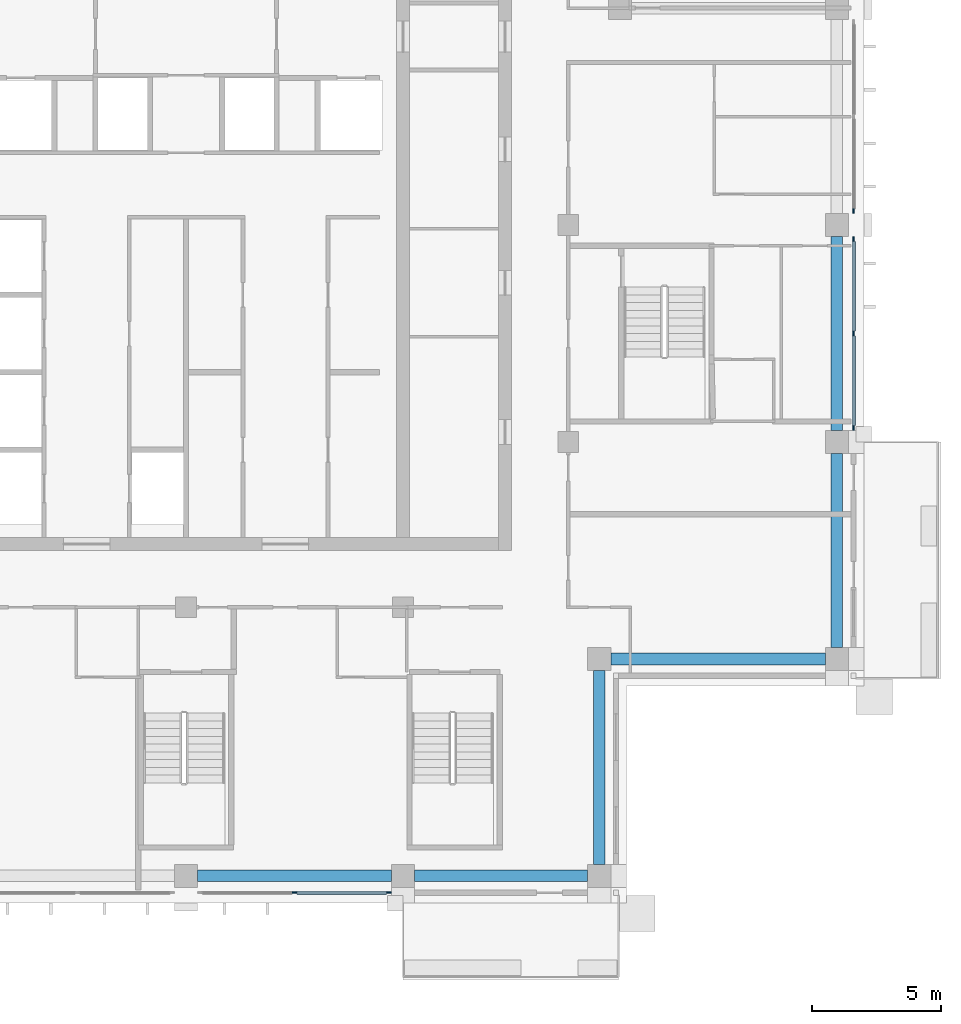
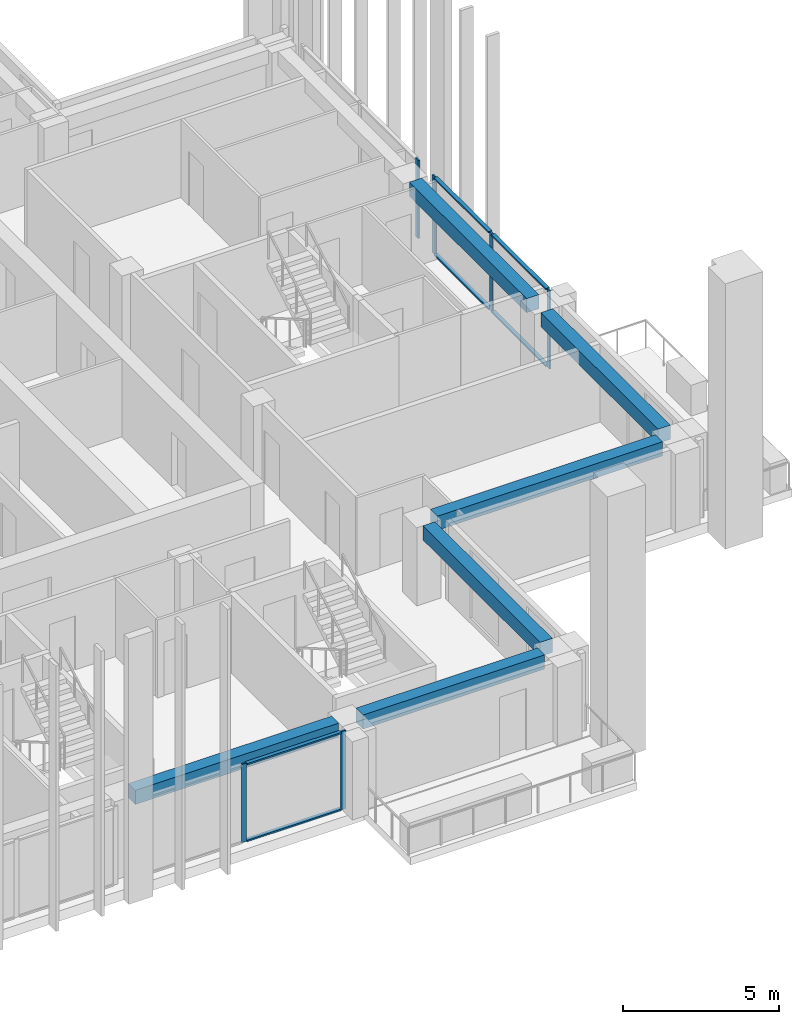
# One storey, part 4 of 20: 12 members, 6 beams, 3 elements without a shape of their own.
"""IFC4 building model written with IfcOpenShell, lengths in metres."""

from ifc_helpers import new_model, si_unit, direction, frame, origin, origin_2d, place, context, subcontext, project, spatial, rectangle, extrude, material, material_profile, profile_set, type_object, element, aggregate, save


model = new_model("IFC4")

# Units and contexts
model_context = context("Model", 3, precision=1e-05, world=origin(), true_north=direction((0.0, 1.0)))
body_context = subcontext(model_context, "Body", "Model", "MODEL_VIEW")
ifc_project = project(units=[si_unit("LENGTHUNIT", "METRE"), si_unit("AREAUNIT", "SQUARE_METRE"), si_unit("VOLUMEUNIT", "CUBIC_METRE"), si_unit("PLANEANGLEUNIT", "RADIAN"), si_unit("MASSUNIT", "GRAM", prefix="KILO")], contexts=[model_context])

# Site, building, storey
site_placement = place(None, origin())
site = spatial("IfcSite", under=ifc_project, at=site_placement, CompositionType="ELEMENT")
building_placement = place(site_placement, origin())
building = spatial("IfcBuilding", under=site, at=building_placement, Name="Vermilion Ogive Tower", CompositionType="ELEMENT")
storey_placement = place(building_placement, frame((0.0, 0.0, 223.449951171875)))
storey = spatial("IfcBuildingStorey", under=building, at=storey_placement, Name="L58", CompositionType="ELEMENT", Elevation=223.449951171875)

# Curtain wall, members
ifc_material_1 = material(Name="Low-iron laminated glazing in aluminium frame", Category="aluminium")
curtain_wall_type = type_object("IfcCurtainWallType", Name="Curtain wall CW7", PredefinedType="NOTDEFINED", material=ifc_material_1)
curtain_wall_1_placement = place(storey_placement, origin())
curtain_wall_1 = element("IfcCurtainWall", 1, at=curtain_wall_1_placement, inside=storey, type_object=curtain_wall_type, Name="Glazed skin S3", PredefinedType="NOTDEFINED")
ifc_material_2 = material(Name="Aluminium mullion", Category="aluminium")
ifc_material_profile_1 = material_profile(ifc_material_2, rectangle(XDim=0.06005859375, YDim=0.179931640625, at=origin_2d()), Name="AL 60x180")
ifc_profile_set_1 = profile_set([ifc_material_profile_1], Name="Aluminium mullion")
member_type_1 = type_object("IfcMemberType", Name="CW7 mullion 60x180", PredefinedType="MULLION", material=ifc_profile_set_1)
member_1_placement = place(storey_placement, frame((4.199951171875, -21.64990234375, 0.0), z_axis=(0.0, 0.0, 1.0), x_axis=(0.0, 1.0, 0.0)))
member_1 = element("IfcMember", 2, at=member_1_placement, type_object=member_type_1, Name="CW7-S3 mullion 2", PredefinedType="MULLION", context=body_context, shape_type="SweptSolid", body=[
    extrude(rectangle(XDim=0.06005859375, YDim=0.179931640625, at=origin_2d()), origin(), (0.0, 0.0, 1.0), 3.050048828125),
])
member_2_placement = place(storey_placement, frame((7.860107421875, -21.64990234375, 0.0), z_axis=(0.0, 0.0, 1.0), x_axis=(0.0, 1.0, 0.0)))
member_2 = element("IfcMember", 3, at=member_2_placement, type_object=member_type_1, Name="CW7-S3 mullion 3", PredefinedType="MULLION", context=body_context, shape_type="SweptSolid", body=[
    extrude(rectangle(XDim=0.06005859375, YDim=0.179931640625, at=origin_2d()), origin(), (0.0, 0.0, 1.0), 3.050048828125),
])

curtain_wall_2_placement = place(storey_placement, origin())
curtain_wall_2 = element("IfcCurtainWall", 4, at=curtain_wall_2_placement, inside=storey, type_object=curtain_wall_type, Name="Glazed skin E2", PredefinedType="NOTDEFINED")
member_3_placement = place(storey_placement, frame((25.85009765625, -3.659912109375, 0.0), z_axis=(0.0, 0.0, 1.0), x_axis=(-1.0, 0.0, 0.0)))
member_3 = element("IfcMember", 5, at=member_3_placement, type_object=member_type_1, Name="CW7-E2 mullion 1", PredefinedType="MULLION", context=body_context, shape_type="SweptSolid", body=[
    extrude(rectangle(XDim=0.06005859375, YDim=0.179931640625, at=origin_2d()), origin(), (0.0, 0.0, 1.0), 3.050048828125),
])
member_4_placement = place(storey_placement, frame((25.85009765625, 0.0, 0.0), z_axis=(0.0, 0.0, 1.0), x_axis=(-1.0, 0.0, 0.0)))
member_4 = element("IfcMember", 6, at=member_4_placement, type_object=member_type_1, Name="CW7-E2 mullion 2", PredefinedType="MULLION", context=body_context, shape_type="SweptSolid", body=[
    extrude(rectangle(XDim=0.06005859375, YDim=0.179931640625, at=origin_2d()), origin(), (0.0, 0.0, 1.0), 3.050048828125),
])
member_5_placement = place(storey_placement, frame((25.85009765625, 3.659912109375, 0.0), z_axis=(0.0, 0.0, 1.0), x_axis=(-1.0, 0.0, 0.0)))
member_5 = element("IfcMember", 7, at=member_5_placement, type_object=member_type_1, Name="CW7-E2 mullion 3", PredefinedType="MULLION", context=body_context, shape_type="SweptSolid", body=[
    extrude(rectangle(XDim=0.06005859375, YDim=0.179931640625, at=origin_2d()), origin(), (0.0, 0.0, 1.0), 3.050048828125),
])

# Curtain wall, member
curtain_wall_3_placement = place(storey_placement, origin())
curtain_wall_3 = element("IfcCurtainWall", 8, at=curtain_wall_3_placement, inside=storey, type_object=curtain_wall_type, Name="Glazed skin E3", PredefinedType="NOTDEFINED")
member_6_placement = place(storey_placement, frame((25.85009765625, 4.739990234375, 0.0), z_axis=(0.0, 0.0, 1.0), x_axis=(-1.0, 0.0, 0.0)))
member_6 = element("IfcMember", 9, at=member_6_placement, type_object=member_type_1, Name="CW7-E3 mullion 1", PredefinedType="MULLION", context=body_context, shape_type="SweptSolid", body=[
    extrude(rectangle(XDim=0.06005859375, YDim=0.179931640625, at=origin_2d()), origin(), (0.0, 0.0, 1.0), 3.050048828125),
])
aggregate(curtain_wall_3, [member_6])

# Member
ifc_material_3 = material(Name="Aluminium transom", Category="aluminium")
ifc_material_profile_2 = material_profile(ifc_material_3, rectangle(XDim=0.139892578125, YDim=0.06005859375, at=origin_2d()), Name="AL 60x140")
ifc_profile_set_2 = profile_set([ifc_material_profile_2], Name="Aluminium transom")
member_type_2 = type_object("IfcMemberType", Name="CW7 transom 60x140", PredefinedType="USERDEFINED", material=ifc_profile_set_2)
member_7_placement = place(storey_placement, frame((4.2900390625, -21.64990234375, 0.030029296875), z_axis=(1.0, 0.0, 0.0), x_axis=(0.0, 1.0, 0.0)))
member_7 = element("IfcMember", 10, at=member_7_placement, type_object=member_type_2, Name="CW7-S3 transom 2.1", ObjectType="TRANSOM", PredefinedType="USERDEFINED", context=body_context, shape_type="SweptSolid", body=[
    extrude(rectangle(XDim=0.139892578125, YDim=0.06005859375, at=origin_2d()), origin(), (0.0, 0.0, 1.0), 3.47998046875),
])

member_8_placement = place(storey_placement, frame((4.2900390625, -21.64990234375, 3.02001953125), z_axis=(1.0, 0.0, 0.0), x_axis=(0.0, 1.0, 0.0)))
member_8 = element("IfcMember", 11, at=member_8_placement, type_object=member_type_2, Name="CW7-S3 transom 2.2", ObjectType="TRANSOM", PredefinedType="USERDEFINED", context=body_context, shape_type="SweptSolid", body=[
    extrude(rectangle(XDim=0.139892578125, YDim=0.06005859375, at=origin_2d()), origin(), (0.0, 0.0, 1.0), 3.47998046875),
])

aggregate(curtain_wall_1, [member_1, member_2, member_7, member_8])

member_9_placement = place(storey_placement, frame((25.85009765625, -3.570068359375, 0.030029296875), z_axis=(0.0, 1.0, 0.0), x_axis=(-1.0, 0.0, 0.0)))
member_9 = element("IfcMember", 12, at=member_9_placement, type_object=member_type_2, Name="CW7-E2 transom 1.1", ObjectType="TRANSOM", PredefinedType="USERDEFINED", context=body_context, shape_type="SweptSolid", body=[
    extrude(rectangle(XDim=0.139892578125, YDim=0.06005859375, at=origin_2d()), origin(), (0.0, 0.0, 1.0), 3.47998046875),
])

member_10_placement = place(storey_placement, frame((25.85009765625, -3.570068359375, 3.02001953125), z_axis=(0.0, 1.0, 0.0), x_axis=(-1.0, 0.0, 0.0)))
member_10 = element("IfcMember", 13, at=member_10_placement, type_object=member_type_2, Name="CW7-E2 transom 1.2", ObjectType="TRANSOM", PredefinedType="USERDEFINED", context=body_context, shape_type="SweptSolid", body=[
    extrude(rectangle(XDim=0.139892578125, YDim=0.06005859375, at=origin_2d()), origin(), (0.0, 0.0, 1.0), 3.47998046875),
])

member_11_placement = place(storey_placement, frame((25.85009765625, 0.090087890625, 0.030029296875), z_axis=(0.0, 1.0, 0.0), x_axis=(-1.0, 0.0, 0.0)))
member_11 = element("IfcMember", 14, at=member_11_placement, type_object=member_type_2, Name="CW7-E2 transom 2.1", ObjectType="TRANSOM", PredefinedType="USERDEFINED", context=body_context, shape_type="SweptSolid", body=[
    extrude(rectangle(XDim=0.139892578125, YDim=0.06005859375, at=origin_2d()), origin(), (0.0, 0.0, 1.0), 3.47998046875),
])

member_12_placement = place(storey_placement, frame((25.85009765625, 0.090087890625, 3.02001953125), z_axis=(0.0, 1.0, 0.0), x_axis=(-1.0, 0.0, 0.0)))
member_12 = element("IfcMember", 15, at=member_12_placement, type_object=member_type_2, Name="CW7-E2 transom 2.2", ObjectType="TRANSOM", PredefinedType="USERDEFINED", context=body_context, shape_type="SweptSolid", body=[
    extrude(rectangle(XDim=0.139892578125, YDim=0.06005859375, at=origin_2d()), origin(), (0.0, 0.0, 1.0), 3.47998046875),
])

aggregate(curtain_wall_2, [member_3, member_4, member_5, member_9, member_10, member_11, member_12])

# Beams
ifc_material_4 = material(Name="Concrete B45", Category="concrete")
ifc_material_profile_3 = material_profile(ifc_material_4, rectangle(XDim=0.449951171875, YDim=0.550048828125, at=origin_2d()), Name="450 x 550")
ifc_profile_set_3 = profile_set([ifc_material_profile_3], Name="Concrete B45")
beam_type = type_object("IfcBeamType", Name="Edge beam 450 x 550 B45", PredefinedType="BEAM", material=ifc_profile_set_3)
beam_1_placement = place(storey_placement, frame((0.449951171875, -21.0, 2.775146484375), z_axis=(1.0, 0.0, 0.0), x_axis=(0.0, 1.0, 0.0)))
element("IfcBeam", 16, at=beam_1_placement, inside=storey, type_object=beam_type, Name="L58-EB-3", PredefinedType="BEAM", context=body_context, shape_type="SweptSolid", body=[
    extrude(rectangle(XDim=0.449951171875, YDim=0.550048828125, at=origin_2d()), origin(), (0.0, 0.0, 1.0), 7.5),
])
beam_2_placement = place(storey_placement, frame((8.85009765625, -21.0, 2.775146484375), z_axis=(1.0, 0.0, 0.0), x_axis=(0.0, 1.0, 0.0)))
element("IfcBeam", 17, at=beam_2_placement, inside=storey, type_object=beam_type, Name="L58-EB-4", PredefinedType="BEAM", context=body_context, shape_type="SweptSolid", body=[
    extrude(rectangle(XDim=0.449951171875, YDim=0.550048828125, at=origin_2d()), origin(), (0.0, 0.0, 1.0), 6.699951171875),
])
beam_3_placement = place(storey_placement, frame((16.0, -20.550048828125, 2.775146484375), z_axis=(0.0, 1.0, 0.0), x_axis=(-1.0, 0.0, 0.0)))
element("IfcBeam", 18, at=beam_3_placement, inside=storey, type_object=beam_type, Name="L58-EB-5", PredefinedType="BEAM", context=body_context, shape_type="SweptSolid", body=[
    extrude(rectangle(XDim=0.449951171875, YDim=0.550048828125, at=origin_2d()), origin(), (0.0, 0.0, 1.0), 7.5),
])
beam_4_placement = place(storey_placement, frame((16.449951171875, -12.60009765625, 2.775146484375), z_axis=(1.0, 0.0, 0.0), x_axis=(0.0, 1.0, 0.0)))
element("IfcBeam", 19, at=beam_4_placement, inside=storey, type_object=beam_type, Name="L58-EB-6", PredefinedType="BEAM", context=body_context, shape_type="SweptSolid", body=[
    extrude(rectangle(XDim=0.449951171875, YDim=0.550048828125, at=origin_2d()), origin(), (0.0, 0.0, 1.0), 8.300048828125),
])
for number, where, z_axis, x_axis, name in (
    (20, (25.199951171875, -12.14990234375, 2.775146484375), (0.0, 1.0, 0.0), (-1.0, 0.0, 0.0), "L58-EB-7"),
    (21, (25.199951171875, -3.75, 2.775146484375), (0.0, 1.0, 0.0), (-1.0, 0.0, 0.0), "L58-EB-8"),
):
    element("IfcBeam", number, at=place(storey_placement, frame(where, z_axis=z_axis, x_axis=x_axis)), inside=storey, type_object=beam_type, Name=name, PredefinedType="BEAM", context=body_context, shape_type="SweptSolid", body=[
        extrude(rectangle(XDim=0.449951171875, YDim=0.550048828125, at=origin_2d()), origin(), (0.0, 0.0, 1.0), 7.5),
    ])

save(model, "model.ifc")
